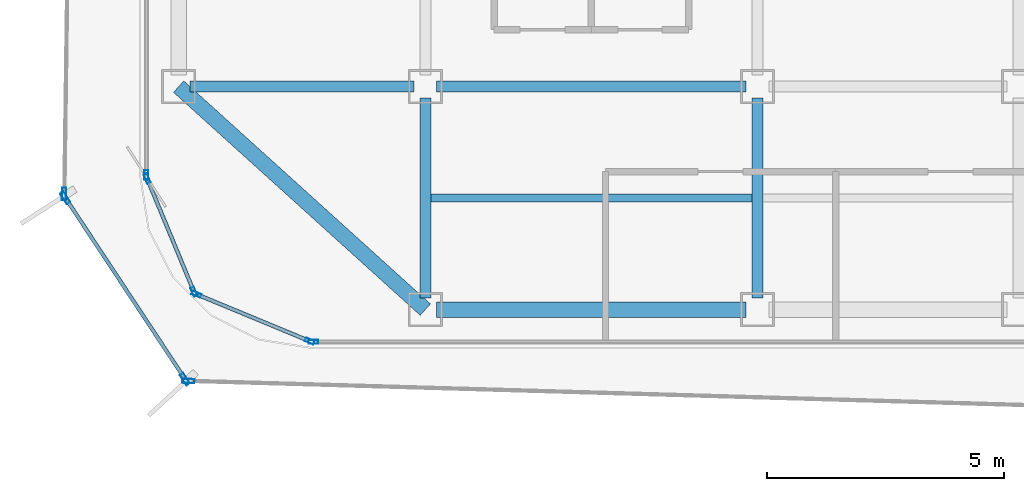
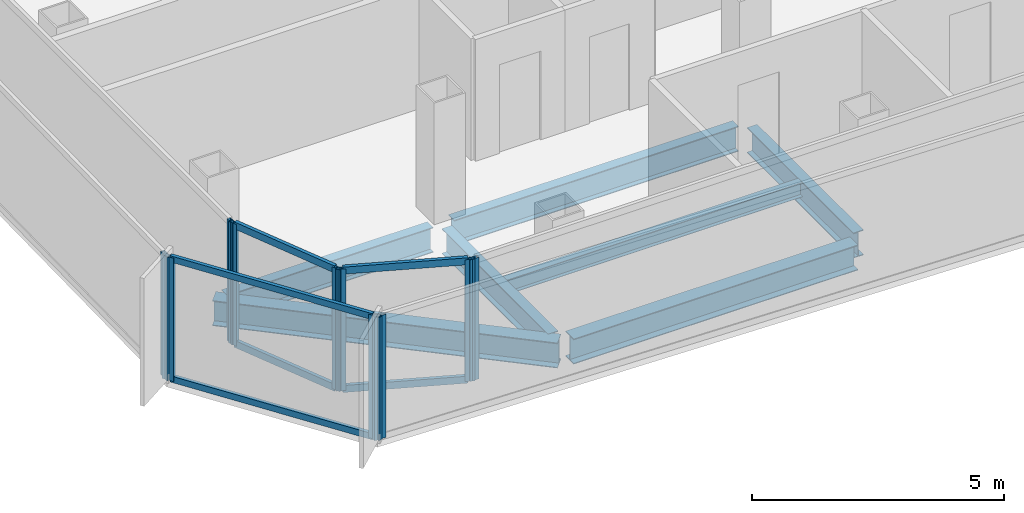
# One storey, part 2 of 15: 16 members, 7 beams, 7 elements without a shape of their own.
"""IFC4 building model written with IfcOpenShell, lengths in metres."""

from ifc_helpers import new_model, si_unit, direction, frame, origin, origin_2d, place, context, subcontext, project, spatial, hollow_rectangle, i_section, extrude, source, transform, mapped, material, layer, layer_set, material_profile, profile_set, type_object, element, aggregate, save


model = new_model("IFC4")

# Units and contexts
model_context = context("Model", 3, precision=1e-05, world=origin(), true_north=direction((0.0, 1.0)))
body_context = subcontext(model_context, "Body", "Model", "MODEL_VIEW")
ifc_project = project(units=[si_unit("LENGTHUNIT", "METRE"), si_unit("AREAUNIT", "SQUARE_METRE"), si_unit("VOLUMEUNIT", "CUBIC_METRE"), si_unit("PLANEANGLEUNIT", "RADIAN"), si_unit("MASSUNIT", "GRAM", prefix="KILO")], contexts=[model_context])

# Site, building, storey
site_placement = place(None, origin())
site = spatial("IfcSite", under=ifc_project, at=site_placement, CompositionType="ELEMENT")
building_placement = place(site_placement, origin())
building = spatial("IfcBuilding", under=site, at=building_placement, Name="Kolveth Station Tower", CompositionType="ELEMENT")
storey_placement = place(building_placement, frame((0.0, 0.0, 202.800048828125)))
storey = spatial("IfcBuildingStorey", under=building, at=storey_placement, Name="L57", CompositionType="ELEMENT", Elevation=202.800048828125)

# Beams
ifc_material_1 = material(Name="Steel S355", Category="steel")
ifc_material_profile_1 = material_profile(ifc_material_1, i_section(OverallWidth=0.323974609375, OverallDepth=0.611083984375, WebThickness=0.0126953125, FlangeThickness=0.01904296875, at=origin_2d()), Name="W610x155")
ifc_profile_set_1 = profile_set([ifc_material_profile_1], Name="Steel S355")
beam_type_1 = type_object("IfcBeamType", Name="Beam_SP2", PredefinedType="SPANDREL", material=ifc_profile_set_1)
shared_shape_1 = source(origin(), body_context, "Body", "SweptSolid", [
    extrude(i_section(OverallWidth=0.323974609375, OverallDepth=0.611083984375, WebThickness=0.0126953125, FlangeThickness=0.01904296875, at=origin_2d()), origin(), (0.0, 0.0, 1.0), 7.00927734375),
])
beam_1_placement = place(storey_placement, frame((0.800048828125, 5.5, -0.5556640625), z_axis=(0.741874009795, -0.670539300557, 0.0), x_axis=(0.670539300557, 0.741874009795, 0.0)))
element("IfcBeam", 1, at=beam_1_placement, inside=storey, type_object=beam_type_1, Name="L57 Corner Edge Girder BM-L57-CNR-SW", PredefinedType="SPANDREL", context=body_context, shape_type="MappedRepresentation", body=[
    mapped(shared_shape_1, transform((0.0, 0.0, 0.0), x_axis=(1.0, 0.0, 0.0), y_axis=(0.0, 1.0, 0.0), z_axis=(0.0, 0.0, 1.0), scale=1.0)),
])
shared_shape_2 = source(origin(), body_context, "Body", "SweptSolid", [
    extrude(i_section(OverallWidth=0.323974609375, OverallDepth=0.611083984375, WebThickness=0.0126953125, FlangeThickness=0.01904296875, at=origin_2d()), origin(), (0.0, 0.0, 1.0), 6.52001953125),
])
beam_2_placement = place(storey_placement, frame((6.239990234375, 0.800048828125, -0.5556640625), z_axis=(1.0, 0.0, 0.0), x_axis=(0.0, 1.0, 0.0)))
element("IfcBeam", 2, at=beam_2_placement, inside=storey, type_object=beam_type_1, Name="L57 Perimeter Spandrel BM-L57-PS-1", PredefinedType="SPANDREL", context=body_context, shape_type="MappedRepresentation", body=[
    mapped(shared_shape_2, transform((0.0, 0.0, 0.0), x_axis=(1.0, 0.0, 0.0), y_axis=(0.0, 1.0, 0.0), z_axis=(0.0, 0.0, 1.0), scale=1.0)),
])
ifc_material_profile_2 = material_profile(ifc_material_1, i_section(OverallWidth=0.22900390625, OverallDepth=0.612060546875, WebThickness=0.011962890625, FlangeThickness=0.01953125, at=origin_2d()), Name="W610x125")
ifc_profile_set_2 = profile_set([ifc_material_profile_2], Name="Steel S355")
beam_type_2 = type_object("IfcBeamType", Name="Beam_B5", PredefinedType="BEAM", material=ifc_profile_set_2)
shared_shape_3 = source(origin(), body_context, "Body", "SweptSolid", [
    extrude(i_section(OverallWidth=0.22900390625, OverallDepth=0.612060546875, WebThickness=0.011962890625, FlangeThickness=0.01953125, at=origin_2d()), origin(), (0.0, 0.0, 1.0), 4.719970703125),
])
beam_3_placement = place(storey_placement, frame((1.0400390625, 5.5, -0.55615234375), z_axis=(1.0, 0.0, 0.0), x_axis=(0.0, 1.0, 0.0)))
element("IfcBeam", 3, at=beam_3_placement, inside=storey, type_object=beam_type_2, Name="L57 Primary Girder BM-L57-GY55-1", PredefinedType="BEAM", context=body_context, shape_type="MappedRepresentation", body=[
    mapped(shared_shape_3, transform((0.0, 0.0, 0.0), x_axis=(1.0, 0.0, 0.0), y_axis=(0.0, 1.0, 0.0), z_axis=(0.0, 0.0, 1.0), scale=1.0)),
])
shared_shape_4 = source(origin(), body_context, "Body", "SweptSolid", [
    extrude(i_section(OverallWidth=0.22900390625, OverallDepth=0.612060546875, WebThickness=0.011962890625, FlangeThickness=0.01953125, at=origin_2d()), origin(), (0.0, 0.0, 1.0), 6.52001953125),
])
beam_4_placement = place(storey_placement, frame((6.239990234375, 5.5, -0.55615234375), z_axis=(1.0, 0.0, 0.0), x_axis=(0.0, 1.0, 0.0)))
element("IfcBeam", 4, at=beam_4_placement, inside=storey, type_object=beam_type_2, Name="L57 Primary Girder BM-L57-GY55-2", PredefinedType="BEAM", context=body_context, shape_type="MappedRepresentation", body=[
    mapped(shared_shape_4, transform((0.0, 0.0, 0.0), x_axis=(1.0, 0.0, 0.0), y_axis=(0.0, 1.0, 0.0), z_axis=(0.0, 0.0, 1.0), scale=1.0)),
])
shared_shape_5 = source(origin(), body_context, "Body", "SweptSolid", [
    extrude(i_section(OverallWidth=0.22900390625, OverallDepth=0.612060546875, WebThickness=0.011962890625, FlangeThickness=0.01953125, at=origin_2d()), origin(), (0.0, 0.0, 1.0), 4.219970703125),
])
for number, where, z_axis, x_axis, name in (
    (5, (6.0, 1.0400390625, -0.55615234375), (0.0, 1.0, 0.0), (-1.0, 0.0, 0.0), "L57 Primary Girder BM-L57-GX60-1"),
    (6, (13.0, 1.0400390625, -0.55615234375), (0.0, 1.0, 0.0), (-1.0, 0.0, 0.0), "L57 Primary Girder BM-L57-GX130-1"),
):
    element("IfcBeam", number, at=place(storey_placement, frame(where, z_axis=z_axis, x_axis=x_axis)), inside=storey, type_object=beam_type_2, Name=name, PredefinedType="BEAM", context=body_context, shape_type="MappedRepresentation", body=[
        mapped(shared_shape_5, transform((0.0, 0.0, 0.0), x_axis=(1.0, 0.0, 0.0), y_axis=(0.0, 1.0, 0.0), z_axis=(0.0, 0.0, 1.0), scale=1.0)),
    ])
ifc_material_profile_3 = material_profile(ifc_material_1, i_section(OverallWidth=0.1708984375, OverallDepth=0.35205078125, WebThickness=0.0068359375, FlangeThickness=0.009765625, at=origin_2d()), Name="W360x44")
ifc_profile_set_3 = profile_set([ifc_material_profile_3], Name="Steel S355")
beam_type_3 = type_object("IfcBeamType", Name="Beam_J2", PredefinedType="JOIST", material=ifc_profile_set_3)
shared_shape_6 = source(origin(), body_context, "Body", "SweptSolid", [
    extrude(i_section(OverallWidth=0.1708984375, OverallDepth=0.35205078125, WebThickness=0.0068359375, FlangeThickness=0.009765625, at=origin_2d()), origin(), (0.0, 0.0, 1.0), 6.77490234375),
])
beam_5_placement = place(storey_placement, frame((6.112548828125, 3.14990234375, -0.426025390625), z_axis=(1.0, 0.0, 0.0), x_axis=(0.0, 1.0, 0.0)))
element("IfcBeam", 7, at=beam_5_placement, inside=storey, type_object=beam_type_3, Name="L57 Secondary Joist JST-L57-2-1", PredefinedType="JOIST", context=body_context, shape_type="MappedRepresentation", body=[
    mapped(shared_shape_6, transform((0.0, 0.0, 0.0), x_axis=(1.0, 0.0, 0.0), y_axis=(0.0, 1.0, 0.0), z_axis=(0.0, 0.0, 1.0), scale=1.0)),
])

# Curtain wall, member
ifc_material_2 = material(Name="Aluminium 6063-T6 and low-E dark glass", Category="aluminium")
ifc_layer_1 = layer(ifc_material_2, 0.18994140625)
ifc_layer_set_1 = layer_set([ifc_layer_1], Name="Aluminium 6063-T6 and low-E dark glass")
curtain_wall_type_1 = type_object("IfcCurtainWallType", Name="CurtainWall_CW-Z2", PredefinedType="NOTDEFINED", material=ifc_layer_set_1)
curtain_wall_1_placement = place(storey_placement, origin())
curtain_wall_1 = element("IfcCurtainWall", 8, at=curtain_wall_1_placement, inside=storey, type_object=curtain_wall_type_1, Name="L57 Inner Thermal Curtain Wall 9", PredefinedType="NOTDEFINED")
ifc_material_3 = material(Name="Black anodized aluminium 6063-T6", Category="aluminium")
ifc_material_profile_4 = material_profile(ifc_material_3, hollow_rectangle(XDim=0.080078125, YDim=0.199951171875, WallThickness=0.0048828125, at=origin_2d()), Name="ALU-80x200x5")
ifc_profile_set_4 = profile_set([ifc_material_profile_4], Name="Black anodized aluminium 6063-T6")
member_type_1 = type_object("IfcMemberType", Name="Mullion_ML2", PredefinedType="MULLION", material=ifc_profile_set_4)
shared_shape_7 = source(origin(), body_context, "Body", "SweptSolid", [
    extrude(hollow_rectangle(XDim=0.080078125, YDim=0.199951171875, WallThickness=0.0048828125, at=origin_2d()), origin(), (0.0, 0.0, 1.0), 2.949951171875),
])
member_1_placement = place(storey_placement, frame((0.1201171875, 3.639892578125, 0.0), z_axis=(0.0, 0.0, 1.0), x_axis=(1.0, 0.0, 0.0)))
member_1 = element("IfcMember", 9, at=member_1_placement, type_object=member_type_1, Name="CW-Z2 mullion 2", PredefinedType="MULLION", context=body_context, shape_type="MappedRepresentation", body=[
    mapped(shared_shape_7, transform((0.0, 0.0, 0.0), x_axis=(1.0, 0.0, 0.0), y_axis=(0.0, 1.0, 0.0), z_axis=(0.0, 0.0, 1.0), scale=1.0)),
])
aggregate(curtain_wall_1, [member_1])

# Curtain wall, members
curtain_wall_2_placement = place(storey_placement, origin())
curtain_wall_2 = element("IfcCurtainWall", 10, at=curtain_wall_2_placement, inside=storey, type_object=curtain_wall_type_1, Name="L57 Inner Thermal Curtain Wall 10", PredefinedType="NOTDEFINED")
member_2_placement = place(storey_placement, frame((0.13525390625, 3.56298828125, 0.0), z_axis=(0.0, 0.0, 1.0), x_axis=(0.923873600544, 0.382697753087, 0.0)))
member_2 = element("IfcMember", 11, at=member_2_placement, type_object=member_type_1, Name="CW-Z2 mullion 1", PredefinedType="MULLION", context=body_context, shape_type="MappedRepresentation", body=[
    mapped(shared_shape_7, transform((0.0, 0.0, 0.0), x_axis=(1.0, 0.0, 0.0), y_axis=(0.0, 1.0, 0.0), z_axis=(0.0, 0.0, 1.0), scale=1.0)),
])
member_3_placement = place(storey_placement, frame((1.1240234375, 1.17626953125, 0.0), z_axis=(0.0, 0.0, 1.0), x_axis=(0.923873600544, 0.382697753087, 0.0)))
member_3 = element("IfcMember", 12, at=member_3_placement, type_object=member_type_1, Name="CW-Z2 mullion 2", PredefinedType="MULLION", context=body_context, shape_type="MappedRepresentation", body=[
    mapped(shared_shape_7, transform((0.0, 0.0, 0.0), x_axis=(1.0, 0.0, 0.0), y_axis=(0.0, 1.0, 0.0), z_axis=(0.0, 0.0, 1.0), scale=1.0)),
])

curtain_wall_3_placement = place(storey_placement, origin())
curtain_wall_3 = element("IfcCurtainWall", 13, at=curtain_wall_3_placement, inside=storey, type_object=curtain_wall_type_1, Name="L57 Inner Thermal Curtain Wall 11", PredefinedType="NOTDEFINED")
member_4_placement = place(storey_placement, frame((1.17626953125, 1.1240234375, 0.0), z_axis=(0.0, 0.0, 1.0), x_axis=(0.382697753087, 0.923873600544, 0.0)))
member_4 = element("IfcMember", 14, at=member_4_placement, type_object=member_type_1, Name="CW-Z2 mullion 1", PredefinedType="MULLION", context=body_context, shape_type="MappedRepresentation", body=[
    mapped(shared_shape_7, transform((0.0, 0.0, 0.0), x_axis=(1.0, 0.0, 0.0), y_axis=(0.0, 1.0, 0.0), z_axis=(0.0, 0.0, 1.0), scale=1.0)),
])
member_5_placement = place(storey_placement, frame((3.56298828125, 0.13525390625, 0.0), z_axis=(0.0, 0.0, 1.0), x_axis=(0.382697753087, 0.923873600544, 0.0)))
member_5 = element("IfcMember", 15, at=member_5_placement, type_object=member_type_1, Name="CW-Z2 mullion 2", PredefinedType="MULLION", context=body_context, shape_type="MappedRepresentation", body=[
    mapped(shared_shape_7, transform((0.0, 0.0, 0.0), x_axis=(1.0, 0.0, 0.0), y_axis=(0.0, 1.0, 0.0), z_axis=(0.0, 0.0, 1.0), scale=1.0)),
])

# Curtain wall, member
curtain_wall_4_placement = place(storey_placement, origin())
curtain_wall_4 = element("IfcCurtainWall", 16, at=curtain_wall_4_placement, inside=storey, type_object=curtain_wall_type_1, Name="L57 Inner Thermal Curtain Wall 12", PredefinedType="NOTDEFINED")
member_6_placement = place(storey_placement, frame((3.639892578125, 0.1201171875, 0.0), z_axis=(0.0, 0.0, 1.0), x_axis=(0.0, 1.0, 0.0)))
member_6 = element("IfcMember", 17, at=member_6_placement, type_object=member_type_1, Name="CW-Z2 mullion 1", PredefinedType="MULLION", context=body_context, shape_type="MappedRepresentation", body=[
    mapped(shared_shape_7, transform((0.0, 0.0, 0.0), x_axis=(1.0, 0.0, 0.0), y_axis=(0.0, 1.0, 0.0), z_axis=(0.0, 0.0, 1.0), scale=1.0)),
])
aggregate(curtain_wall_4, [member_6])

ifc_material_4 = material(Name="Black anodized aluminium 6063-T6 and dark solar glass", Category="aluminium")
ifc_layer_2 = layer(ifc_material_4, 0.159912109375)
ifc_layer_set_2 = layer_set([ifc_layer_2], Name="Black anodized aluminium 6063-T6 and dark solar glass")
curtain_wall_type_2 = type_object("IfcCurtainWallType", Name="OUTER SKIN CW-OS", PredefinedType="NOTDEFINED", material=ifc_layer_set_2)
curtain_wall_5_placement = place(storey_placement, origin())
curtain_wall_5 = element("IfcCurtainWall", 18, at=curtain_wall_5_placement, inside=storey, type_object=curtain_wall_type_2, Name="L57 Outer Ventilated Skin Curtain Wall 6", PredefinedType="NOTDEFINED")
ifc_material_profile_5 = material_profile(ifc_material_3, hollow_rectangle(XDim=0.090087890625, YDim=0.260009765625, WallThickness=0.0048828125, at=origin_2d()), Name="ALU-90x260x5")
ifc_profile_set_5 = profile_set([ifc_material_profile_5], Name="Black anodized aluminium 6063-T6")
member_type_2 = type_object("IfcMemberType", Name="FIN MULLION ML-OS", PredefinedType="MULLION", material=ifc_profile_set_5)
shared_shape_8 = source(origin(), body_context, "Body", "SweptSolid", [
    extrude(hollow_rectangle(XDim=0.090087890625, YDim=0.260009765625, WallThickness=0.0048828125, at=origin_2d()), origin(), (0.0, 0.0, 1.0), 2.989990234375),
])
member_7_placement = place(storey_placement, frame((-1.61376953125, 3.2392578125, 0.0), z_axis=(0.0, 0.0, 1.0), x_axis=(0.999904128129, -0.0138468246, 0.0)))
member_7 = element("IfcMember", 19, at=member_7_placement, type_object=member_type_2, Name="CW-OS mullion 2", PredefinedType="MULLION", context=body_context, shape_type="MappedRepresentation", body=[
    mapped(shared_shape_8, transform((0.0, 0.0, 0.0), x_axis=(1.0, 0.0, 0.0), y_axis=(0.0, 1.0, 0.0), z_axis=(0.0, 0.0, 1.0), scale=1.0)),
])
aggregate(curtain_wall_5, [member_7])

# Curtain wall, members
curtain_wall_6_placement = place(storey_placement, origin())
curtain_wall_6 = element("IfcCurtainWall", 20, at=curtain_wall_6_placement, inside=storey, type_object=curtain_wall_type_2, Name="L57 Outer Ventilated Skin Curtain Wall 7", PredefinedType="NOTDEFINED")
member_8_placement = place(storey_placement, frame((-1.589599609375, 3.15673828125, 0.0), z_axis=(0.0, 0.0, 1.0), x_axis=(0.834423746291, 0.551123408707, 0.0)))
member_8 = element("IfcMember", 21, at=member_8_placement, type_object=member_type_2, Name="CW-OS mullion 1", PredefinedType="MULLION", context=body_context, shape_type="MappedRepresentation", body=[
    mapped(shared_shape_8, transform((0.0, 0.0, 0.0), x_axis=(1.0, 0.0, 0.0), y_axis=(0.0, 1.0, 0.0), z_axis=(0.0, 0.0, 1.0), scale=1.0)),
])
member_9_placement = place(storey_placement, frame((0.935302734375, -0.666259765625, 0.0), z_axis=(0.0, 0.0, 1.0), x_axis=(0.834423746291, 0.551123408707, 0.0)))
member_9 = element("IfcMember", 22, at=member_9_placement, type_object=member_type_2, Name="CW-OS mullion 2", PredefinedType="MULLION", context=body_context, shape_type="MappedRepresentation", body=[
    mapped(shared_shape_8, transform((0.0, 0.0, 0.0), x_axis=(1.0, 0.0, 0.0), y_axis=(0.0, 1.0, 0.0), z_axis=(0.0, 0.0, 1.0), scale=1.0)),
])

# Curtain wall, member
curtain_wall_7_placement = place(storey_placement, origin())
curtain_wall_7 = element("IfcCurtainWall", 23, at=curtain_wall_7_placement, inside=storey, type_object=curtain_wall_type_2, Name="L57 Outer Ventilated Skin Curtain Wall 8", PredefinedType="NOTDEFINED")
member_10_placement = place(storey_placement, frame((1.005126953125, -0.705078125, 0.0), z_axis=(0.0, 0.0, 1.0), x_axis=(0.028907019269, 0.9995821048, 0.0)))
member_10 = element("IfcMember", 24, at=member_10_placement, type_object=member_type_2, Name="CW-OS mullion 1", PredefinedType="MULLION", context=body_context, shape_type="MappedRepresentation", body=[
    mapped(shared_shape_8, transform((0.0, 0.0, 0.0), x_axis=(1.0, 0.0, 0.0), y_axis=(0.0, 1.0, 0.0), z_axis=(0.0, 0.0, 1.0), scale=1.0)),
])
aggregate(curtain_wall_7, [member_10])

# Member
ifc_material_profile_6 = material_profile(ifc_material_3, hollow_rectangle(XDim=0.080078125, YDim=0.169921875, WallThickness=0.0048828125, at=origin_2d()), Name="ALU-80x170x5")
ifc_profile_set_6 = profile_set([ifc_material_profile_6], Name="Black anodized aluminium 6063-T6")
member_type_3 = type_object("IfcMemberType", Name="Transom_TR2", PredefinedType="USERDEFINED", material=ifc_profile_set_6)
shared_shape_9 = source(origin(), body_context, "Body", "SweptSolid", [
    extrude(hollow_rectangle(XDim=0.080078125, YDim=0.169921875, WallThickness=0.0048828125, at=origin_2d()), origin(), (0.0, 0.0, 1.0), 2.50341796875),
])
member_11_placement = place(storey_placement, frame((0.150634765625, 3.526123046875, 0.0400390625), z_axis=(0.382661849723, -0.923888472039, 0.0), x_axis=(0.923888472039, 0.382661849723, 0.0)))
member_11 = element("IfcMember", 25, at=member_11_placement, type_object=member_type_3, Name="CW-Z2 transom 1.1", ObjectType="TRANSOM", PredefinedType="USERDEFINED", context=body_context, shape_type="MappedRepresentation", body=[
    mapped(shared_shape_9, transform((0.0, 0.0, 0.0), x_axis=(1.0, 0.0, 0.0), y_axis=(0.0, 1.0, 0.0), z_axis=(0.0, 0.0, 1.0), scale=1.0)),
])

member_12_placement = place(storey_placement, frame((0.150634765625, 3.526123046875, 2.909912109375), z_axis=(0.382661849723, -0.923888472039, 0.0), x_axis=(0.923888472039, 0.382661849723, 0.0)))
member_12 = element("IfcMember", 26, at=member_12_placement, type_object=member_type_3, Name="CW-Z2 transom 1.2", ObjectType="TRANSOM", PredefinedType="USERDEFINED", context=body_context, shape_type="MappedRepresentation", body=[
    mapped(shared_shape_9, transform((0.0, 0.0, 0.0), x_axis=(1.0, 0.0, 0.0), y_axis=(0.0, 1.0, 0.0), z_axis=(0.0, 0.0, 1.0), scale=1.0)),
])

aggregate(curtain_wall_2, [member_2, member_3, member_11, member_12])

member_13_placement = place(storey_placement, frame((1.213134765625, 1.108642578125, 0.0400390625), z_axis=(0.923888472039, -0.382661849723, 0.0), x_axis=(0.382661849723, 0.923888472039, 0.0)))
member_13 = element("IfcMember", 27, at=member_13_placement, type_object=member_type_3, Name="CW-Z2 transom 1.1", ObjectType="TRANSOM", PredefinedType="USERDEFINED", context=body_context, shape_type="MappedRepresentation", body=[
    mapped(shared_shape_9, transform((0.0, 0.0, 0.0), x_axis=(1.0, 0.0, 0.0), y_axis=(0.0, 1.0, 0.0), z_axis=(0.0, 0.0, 1.0), scale=1.0)),
])

member_14_placement = place(storey_placement, frame((1.213134765625, 1.108642578125, 2.909912109375), z_axis=(0.923888472039, -0.382661849723, 0.0), x_axis=(0.382661849723, 0.923888472039, 0.0)))
member_14 = element("IfcMember", 28, at=member_14_placement, type_object=member_type_3, Name="CW-Z2 transom 1.2", ObjectType="TRANSOM", PredefinedType="USERDEFINED", context=body_context, shape_type="MappedRepresentation", body=[
    mapped(shared_shape_9, transform((0.0, 0.0, 0.0), x_axis=(1.0, 0.0, 0.0), y_axis=(0.0, 1.0, 0.0), z_axis=(0.0, 0.0, 1.0), scale=1.0)),
])

aggregate(curtain_wall_3, [member_4, member_5, member_13, member_14])

ifc_material_profile_7 = material_profile(ifc_material_3, hollow_rectangle(XDim=0.080078125, YDim=0.14990234375, WallThickness=0.0048828125, at=origin_2d()), Name="ALU-80x150x5")
ifc_profile_set_7 = profile_set([ifc_material_profile_7], Name="Black anodized aluminium 6063-T6")
member_type_4 = type_object("IfcMemberType", Name="Transom_TR-OS", PredefinedType="USERDEFINED", material=ifc_profile_set_7)
shared_shape_10 = source(origin(), body_context, "Body", "SweptSolid", [
    extrude(hollow_rectangle(XDim=0.080078125, YDim=0.14990234375, WallThickness=0.0048828125, at=origin_2d()), origin(), (0.0, 0.0, 1.0), 4.491455078125),
])
member_15_placement = place(storey_placement, frame((-1.564697265625, 3.119140625, 0.0400390625), z_axis=(0.551082245621, -0.834450932387, 0.0), x_axis=(0.834450932387, 0.551082245621, 0.0)))
member_15 = element("IfcMember", 29, at=member_15_placement, type_object=member_type_4, Name="CW-OS transom 1.1", ObjectType="TRANSOM", PredefinedType="USERDEFINED", context=body_context, shape_type="MappedRepresentation", body=[
    mapped(shared_shape_10, transform((0.0, 0.0, 0.0), x_axis=(1.0, 0.0, 0.0), y_axis=(0.0, 1.0, 0.0), z_axis=(0.0, 0.0, 1.0), scale=1.0)),
])

member_16_placement = place(storey_placement, frame((-1.564697265625, 3.119140625, 2.949951171875), z_axis=(0.551082245621, -0.834450932387, 0.0), x_axis=(0.834450932387, 0.551082245621, 0.0)))
member_16 = element("IfcMember", 30, at=member_16_placement, type_object=member_type_4, Name="CW-OS transom 1.2", ObjectType="TRANSOM", PredefinedType="USERDEFINED", context=body_context, shape_type="MappedRepresentation", body=[
    mapped(shared_shape_10, transform((0.0, 0.0, 0.0), x_axis=(1.0, 0.0, 0.0), y_axis=(0.0, 1.0, 0.0), z_axis=(0.0, 0.0, 1.0), scale=1.0)),
])

aggregate(curtain_wall_6, [member_8, member_9, member_15, member_16])

save(model, "model.ifc")
